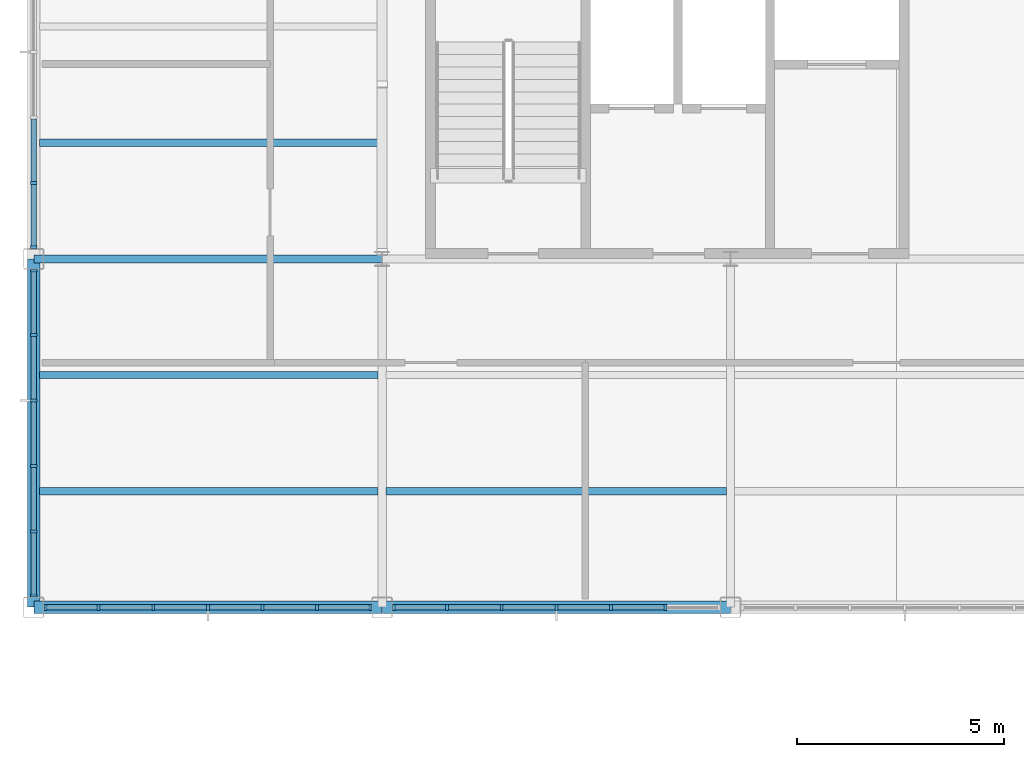
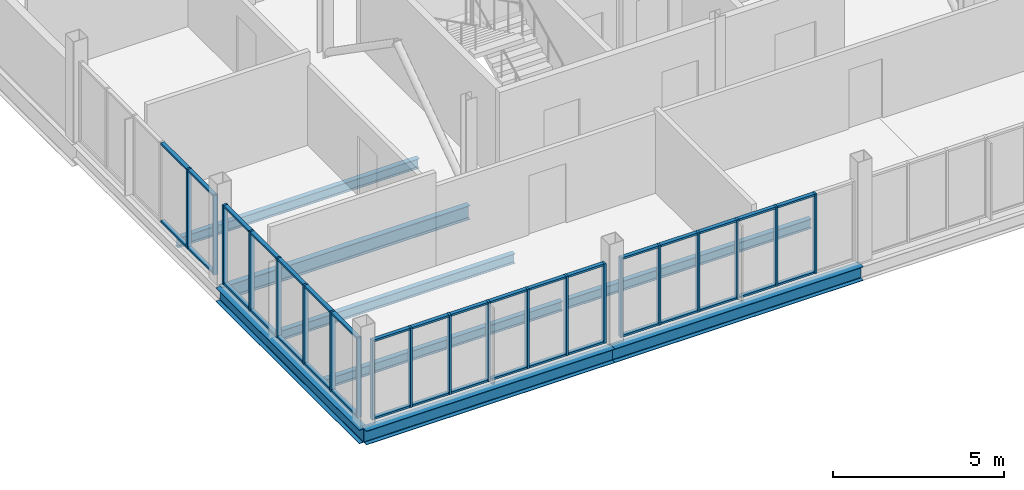
# One storey, part 4 of 16: 57 members, 8 beams, 4 elements without a shape of their own.
"""IFC4 building model written with IfcOpenShell, lengths in metres."""

from ifc_helpers import new_model, si_unit, direction, frame, origin, origin_2d, place, context, subcontext, project, spatial, rectangle, i_section, extrude, material, layer, layer_set, material_profile, profile_set, type_object, element, aggregate, save


model = new_model("IFC4")

# Units and contexts
model_context = context("Model", 3, precision=1e-05, world=origin(), true_north=direction((0.0, 1.0)))
body_context = subcontext(model_context, "Body", "Model", "MODEL_VIEW")
ifc_project = project(units=[si_unit("LENGTHUNIT", "METRE"), si_unit("AREAUNIT", "SQUARE_METRE"), si_unit("VOLUMEUNIT", "CUBIC_METRE"), si_unit("PLANEANGLEUNIT", "RADIAN"), si_unit("MASSUNIT", "GRAM", prefix="KILO")], contexts=[model_context])

# Site, building, storey
site_placement = place(None, origin())
site = spatial("IfcSite", under=ifc_project, at=site_placement, CompositionType="ELEMENT")
building_placement = place(site_placement, origin())
building = spatial("IfcBuilding", under=site, at=building_placement, Name="Yukiwa Park Conservatory and Herbarium", CompositionType="ELEMENT")
storey_placement = place(building_placement, frame((0.0, 0.0, 39.60009765625)))
storey = spatial("IfcBuildingStorey", under=building, at=storey_placement, Name="L10", CompositionType="ELEMENT", Elevation=39.60009765625)

# Beams
ifc_material_1 = material(Name="Steel Q355D", Category="steel")
ifc_material_profile_1 = material_profile(ifc_material_1, i_section(OverallWidth=0.198974609375, OverallDepth=0.49609375, WebThickness=0.009033203125, FlangeThickness=0.013916015625, FilletRadius=0.02001953125, at=origin_2d()), Name="HN 496x199x9x14")
ifc_profile_set_1 = profile_set([ifc_material_profile_1], Name="Steel Q355D")
beam_type_1 = type_object("IfcBeamType", Name="BM-GRD-HN496", PredefinedType="BEAM", material=ifc_profile_set_1)
beam_1_placement = place(storey_placement, frame((124.805908203125, 94.800048828125, -0.5), z_axis=(1.0, 0.0, 0.0), x_axis=(0.0, 1.0, 0.0)))
element("IfcBeam", 1, at=beam_1_placement, inside=storey, type_object=beam_type_1, Name="L10 grid beam X-8", PredefinedType="BEAM", context=body_context, shape_type="SweptSolid", body=[
    extrude(i_section(OverallWidth=0.198974609375, OverallDepth=0.49609375, WebThickness=0.009033203125, FlangeThickness=0.013916015625, FilletRadius=0.02001953125, at=origin_2d()), origin(), (0.0, 0.0, 1.0), 8.38818359375),
])
ifc_material_2 = material(Name="Steel Q355D", Category="steel")
ifc_material_profile_2 = material_profile(ifc_material_2, i_section(OverallWidth=0.174072265625, OverallDepth=0.345947265625, WebThickness=0.006103515625, FlangeThickness=0.009033203125, FilletRadius=0.013916015625, at=origin_2d()), Name="HN 346x174x6x9")
ifc_profile_set_2 = profile_set([ifc_material_profile_2], Name="Steel Q355D")
beam_type_2 = type_object("IfcBeamType", Name="BM-JST-HN346", PredefinedType="JOIST", material=ifc_profile_set_2)
for number, where, z_axis, x_axis, name in (
    (2, (124.946044921875, 89.199951171875, -0.425048828125), (1.0, 0.0, 0.0), (0.0, 1.0, 0.0), "L10 composite floor joist 1"),
    (3, (124.946044921875, 92.0, -0.425048828125), (1.0, 0.0, 0.0), (0.0, 1.0, 0.0), "L10 composite floor joist 2"),
    (4, (124.946044921875, 97.60009765625, -0.425048828125), (1.0, 0.0, 0.0), (0.0, 1.0, 0.0), "L10 composite floor joist 3"),
):
    element("IfcBeam", number, at=place(storey_placement, frame(where, z_axis=z_axis, x_axis=x_axis)), inside=storey, type_object=beam_type_2, Name=name, PredefinedType="JOIST", context=body_context, shape_type="SweptSolid", body=[
        extrude(i_section(OverallWidth=0.174072265625, OverallDepth=0.345947265625, WebThickness=0.006103515625, FlangeThickness=0.009033203125, FilletRadius=0.013916015625, at=origin_2d()), origin(), (0.0, 0.0, 1.0), 8.157958984375),
    ])
beam_2_placement = place(storey_placement, frame((133.2958984375, 89.199951171875, -0.425048828125), z_axis=(1.0, 0.0, 0.0), x_axis=(0.0, 1.0, 0.0)))
element("IfcBeam", 5, at=beam_2_placement, inside=storey, type_object=beam_type_2, Name="L10 composite floor joist 7", PredefinedType="JOIST", context=body_context, shape_type="SweptSolid", body=[
    extrude(i_section(OverallWidth=0.174072265625, OverallDepth=0.345947265625, WebThickness=0.006103515625, FlangeThickness=0.009033203125, FilletRadius=0.013916015625, at=origin_2d()), origin(), (0.0, 0.0, 1.0), 8.2080078125),
])
ifc_material_3 = material(Name="Steel Q355D", Category="steel")
ifc_material_profile_3 = material_profile(ifc_material_3, i_section(OverallWidth=0.300048828125, OverallDepth=0.5, WebThickness=0.010986328125, FlangeThickness=0.01806640625, FilletRadius=0.02392578125, at=origin_2d()), Name="HM 500x300x11x18")
ifc_profile_set_3 = profile_set([ifc_material_profile_3], Name="Steel Q355D")
beam_type_3 = type_object("IfcBeamType", Name="BM-SPN-HN500", PredefinedType="SPANDREL", material=ifc_profile_set_3)
beam_3_placement = place(storey_placement, frame((124.805908203125, 86.39990234375, -0.502197265625), z_axis=(1.0, 0.0, 0.0), x_axis=(0.0, 1.0, 0.0)))
element("IfcBeam", 6, at=beam_3_placement, inside=storey, type_object=beam_type_3, Name="L10 spandrel beam X-3", PredefinedType="SPANDREL", context=body_context, shape_type="SweptSolid", body=[
    extrude(i_section(OverallWidth=0.300048828125, OverallDepth=0.5, WebThickness=0.010986328125, FlangeThickness=0.01806640625, FilletRadius=0.02392578125, at=origin_2d()), origin(), (0.0, 0.0, 1.0), 8.38818359375),
])
for number, where, z_axis, x_axis, name in (
    (7, (133.2060546875, 86.39990234375, -0.502197265625), (1.0, 0.0, 0.0), (0.0, 1.0, 0.0), "L10 spandrel beam X-4"),
    (8, (124.800048828125, 86.406005859375, -0.502197265625), (0.0, 1.0, 0.0), (-1.0, 0.0, 0.0), "L10 spandrel girder Y-23"),
):
    element("IfcBeam", number, at=place(storey_placement, frame(where, z_axis=z_axis, x_axis=x_axis)), inside=storey, type_object=beam_type_3, Name=name, PredefinedType="SPANDREL", context=body_context, shape_type="SweptSolid", body=[
        extrude(i_section(OverallWidth=0.300048828125, OverallDepth=0.5, WebThickness=0.010986328125, FlangeThickness=0.01806640625, FilletRadius=0.02392578125, at=origin_2d()), origin(), (0.0, 0.0, 1.0), 8.387939453125),
    ])

# Curtain wall, members
ifc_material_4 = material(Name="Triple Low-E Insulated Glass", Category="glass")
ifc_layer_1 = layer(ifc_material_4, 0.260009765625)
ifc_layer_set_1 = layer_set([ifc_layer_1], Name="Triple Low-E Insulated Glass")
curtain_wall_type_1 = type_object("IfcCurtainWallType", Name="CW-TOWER-LAB-W-1500", PredefinedType="NOTDEFINED", material=ifc_layer_set_1)
curtain_wall_1_placement = place(storey_placement, origin())
curtain_wall_1 = element("IfcCurtainWall", 9, at=curtain_wall_1_placement, inside=storey, type_object=curtain_wall_type_1, Name="L10 unitised curtain wall CW-L10-107", PredefinedType="NOTDEFINED")
ifc_material_5 = material(Name="Anodised Aluminium", Category="aluminium")
member_type_1 = type_object("IfcMemberType", Name="MB-CW-MUL-70X150", PredefinedType="MULLION", material=ifc_material_5)
member_1_placement = place(storey_placement, frame((124.800048828125, 96.6298828125, 0.0), z_axis=(0.0, 0.0, 1.0), x_axis=(0.0, -1.0, 0.0)))
member_1 = element("IfcMember", 10, at=member_1_placement, type_object=member_type_1, Name="CW-L10-107 mullion 5", PredefinedType="MULLION", context=body_context, shape_type="SweptSolid", body=[
    extrude(rectangle(XDim=0.070068359375, YDim=0.14990234375, at=origin_2d()), origin(), (0.0, 0.0, 1.0), 2.842041015625),
])
member_2_placement = place(storey_placement, frame((124.800048828125, 95.0849609375, 0.0), z_axis=(0.0, 0.0, 1.0), x_axis=(0.0, -1.0, 0.0)))
member_2 = element("IfcMember", 11, at=member_2_placement, type_object=member_type_1, Name="CW-L10-107 mullion 6", PredefinedType="MULLION", context=body_context, shape_type="SweptSolid", body=[
    extrude(rectangle(XDim=0.070068359375, YDim=0.14990234375, at=origin_2d()), origin(), (0.0, 0.0, 1.0), 2.842041015625),
])

curtain_wall_2_placement = place(storey_placement, origin())
curtain_wall_2 = element("IfcCurtainWall", 12, at=curtain_wall_2_placement, inside=storey, type_object=curtain_wall_type_1, Name="L10 unitised curtain wall CW-L10-108", PredefinedType="NOTDEFINED")
member_3_placement = place(storey_placement, frame((124.800048828125, 94.514892578125, 0.0), z_axis=(0.0, 0.0, 1.0), x_axis=(0.0, -1.0, 0.0)))
member_3 = element("IfcMember", 13, at=member_3_placement, type_object=member_type_1, Name="CW-L10-108 mullion 1", PredefinedType="MULLION", context=body_context, shape_type="SweptSolid", body=[
    extrude(rectangle(XDim=0.070068359375, YDim=0.14990234375, at=origin_2d()), origin(), (0.0, 0.0, 1.0), 2.842041015625),
])
member_4_placement = place(storey_placement, frame((124.800048828125, 92.969970703125, 0.0), z_axis=(0.0, 0.0, 1.0), x_axis=(0.0, -1.0, 0.0)))
member_4 = element("IfcMember", 14, at=member_4_placement, type_object=member_type_1, Name="CW-L10-108 mullion 2", PredefinedType="MULLION", context=body_context, shape_type="SweptSolid", body=[
    extrude(rectangle(XDim=0.070068359375, YDim=0.14990234375, at=origin_2d()), origin(), (0.0, 0.0, 1.0), 2.842041015625),
])
member_5_placement = place(storey_placement, frame((124.800048828125, 91.389892578125, 0.0), z_axis=(0.0, 0.0, 1.0), x_axis=(0.0, -1.0, 0.0)))
member_5 = element("IfcMember", 15, at=member_5_placement, type_object=member_type_1, Name="CW-L10-108 mullion 3", PredefinedType="MULLION", context=body_context, shape_type="SweptSolid", body=[
    extrude(rectangle(XDim=0.070068359375, YDim=0.14990234375, at=origin_2d()), origin(), (0.0, 0.0, 1.0), 2.842041015625),
])
member_6_placement = place(storey_placement, frame((124.800048828125, 89.81005859375, 0.0), z_axis=(0.0, 0.0, 1.0), x_axis=(0.0, -1.0, 0.0)))
member_6 = element("IfcMember", 16, at=member_6_placement, type_object=member_type_1, Name="CW-L10-108 mullion 4", PredefinedType="MULLION", context=body_context, shape_type="SweptSolid", body=[
    extrude(rectangle(XDim=0.070068359375, YDim=0.14990234375, at=origin_2d()), origin(), (0.0, 0.0, 1.0), 2.842041015625),
])
member_7_placement = place(storey_placement, frame((124.800048828125, 88.22998046875, 0.0), z_axis=(0.0, 0.0, 1.0), x_axis=(0.0, -1.0, 0.0)))
member_7 = element("IfcMember", 17, at=member_7_placement, type_object=member_type_1, Name="CW-L10-108 mullion 5", PredefinedType="MULLION", context=body_context, shape_type="SweptSolid", body=[
    extrude(rectangle(XDim=0.070068359375, YDim=0.14990234375, at=origin_2d()), origin(), (0.0, 0.0, 1.0), 2.842041015625),
])
member_8_placement = place(storey_placement, frame((124.800048828125, 86.68505859375, 0.0), z_axis=(0.0, 0.0, 1.0), x_axis=(0.0, -1.0, 0.0)))
member_8 = element("IfcMember", 18, at=member_8_placement, type_object=member_type_1, Name="CW-L10-108 mullion 6", PredefinedType="MULLION", context=body_context, shape_type="SweptSolid", body=[
    extrude(rectangle(XDim=0.070068359375, YDim=0.14990234375, at=origin_2d()), origin(), (0.0, 0.0, 1.0), 2.842041015625),
])

ifc_material_6 = material(Name="Triple Low-E Insulated Glass", Category="glass")
ifc_layer_2 = layer(ifc_material_6, 0.248046875)
ifc_layer_set_2 = layer_set([ifc_layer_2], Name="Triple Low-E Insulated Glass")
curtain_wall_type_2 = type_object("IfcCurtainWallType", Name="CW-TOWER-LAB-S-1400", PredefinedType="NOTDEFINED", material=ifc_layer_set_2)
curtain_wall_3_placement = place(storey_placement, origin())
curtain_wall_3 = element("IfcCurtainWall", 19, at=curtain_wall_3_placement, inside=storey, type_object=curtain_wall_type_2, Name="L10 unitised curtain wall CW-L10-109", PredefinedType="NOTDEFINED")
member_9_placement = place(storey_placement, frame((125.0849609375, 86.39990234375, 0.0), z_axis=(0.0, 0.0, 1.0), x_axis=(1.0, 0.0, 0.0)))
member_9 = element("IfcMember", 20, at=member_9_placement, type_object=member_type_1, Name="CW-L10-109 mullion 1", PredefinedType="MULLION", context=body_context, shape_type="SweptSolid", body=[
    extrude(rectangle(XDim=0.070068359375, YDim=0.14990234375, at=origin_2d()), origin(), (0.0, 0.0, 1.0), 2.842041015625),
])
member_10_placement = place(storey_placement, frame((126.36669921875, 86.39990234375, 0.0), z_axis=(0.0, 0.0, 1.0), x_axis=(1.0, 0.0, 0.0)))
member_10 = element("IfcMember", 21, at=member_10_placement, type_object=member_type_1, Name="CW-L10-109 mullion 2", PredefinedType="MULLION", context=body_context, shape_type="SweptSolid", body=[
    extrude(rectangle(XDim=0.070068359375, YDim=0.14990234375, at=origin_2d()), origin(), (0.0, 0.0, 1.0), 2.842041015625),
])
member_11_placement = place(storey_placement, frame((127.683349609375, 86.39990234375, 0.0), z_axis=(0.0, 0.0, 1.0), x_axis=(1.0, 0.0, 0.0)))
member_11 = element("IfcMember", 22, at=member_11_placement, type_object=member_type_1, Name="CW-L10-109 mullion 3", PredefinedType="MULLION", context=body_context, shape_type="SweptSolid", body=[
    extrude(rectangle(XDim=0.070068359375, YDim=0.14990234375, at=origin_2d()), origin(), (0.0, 0.0, 1.0), 2.842041015625),
])
member_12_placement = place(storey_placement, frame((129.0, 86.39990234375, 0.0), z_axis=(0.0, 0.0, 1.0), x_axis=(1.0, 0.0, 0.0)))
member_12 = element("IfcMember", 23, at=member_12_placement, type_object=member_type_1, Name="CW-L10-109 mullion 4", PredefinedType="MULLION", context=body_context, shape_type="SweptSolid", body=[
    extrude(rectangle(XDim=0.070068359375, YDim=0.14990234375, at=origin_2d()), origin(), (0.0, 0.0, 1.0), 2.842041015625),
])
member_13_placement = place(storey_placement, frame((130.316650390625, 86.39990234375, 0.0), z_axis=(0.0, 0.0, 1.0), x_axis=(1.0, 0.0, 0.0)))
member_13 = element("IfcMember", 24, at=member_13_placement, type_object=member_type_1, Name="CW-L10-109 mullion 5", PredefinedType="MULLION", context=body_context, shape_type="SweptSolid", body=[
    extrude(rectangle(XDim=0.070068359375, YDim=0.14990234375, at=origin_2d()), origin(), (0.0, 0.0, 1.0), 2.842041015625),
])
member_14_placement = place(storey_placement, frame((131.63330078125, 86.39990234375, 0.0), z_axis=(0.0, 0.0, 1.0), x_axis=(1.0, 0.0, 0.0)))
member_14 = element("IfcMember", 25, at=member_14_placement, type_object=member_type_1, Name="CW-L10-109 mullion 6", PredefinedType="MULLION", context=body_context, shape_type="SweptSolid", body=[
    extrude(rectangle(XDim=0.070068359375, YDim=0.14990234375, at=origin_2d()), origin(), (0.0, 0.0, 1.0), 2.842041015625),
])
member_15_placement = place(storey_placement, frame((132.9150390625, 86.39990234375, 0.0), z_axis=(0.0, 0.0, 1.0), x_axis=(1.0, 0.0, 0.0)))
member_15 = element("IfcMember", 26, at=member_15_placement, type_object=member_type_1, Name="CW-L10-109 mullion 7", PredefinedType="MULLION", context=body_context, shape_type="SweptSolid", body=[
    extrude(rectangle(XDim=0.070068359375, YDim=0.14990234375, at=origin_2d()), origin(), (0.0, 0.0, 1.0), 2.842041015625),
])

curtain_wall_4_placement = place(storey_placement, origin())
curtain_wall_4 = element("IfcCurtainWall", 27, at=curtain_wall_4_placement, inside=storey, type_object=curtain_wall_type_2, Name="L10 unitised curtain wall CW-L10-110", PredefinedType="NOTDEFINED")
member_16_placement = place(storey_placement, frame((133.485107421875, 86.39990234375, 0.0), z_axis=(0.0, 0.0, 1.0), x_axis=(1.0, 0.0, 0.0)))
member_16 = element("IfcMember", 28, at=member_16_placement, type_object=member_type_1, Name="CW-L10-110 mullion 1", PredefinedType="MULLION", context=body_context, shape_type="SweptSolid", body=[
    extrude(rectangle(XDim=0.070068359375, YDim=0.14990234375, at=origin_2d()), origin(), (0.0, 0.0, 1.0), 2.842041015625),
])
member_17_placement = place(storey_placement, frame((134.7666015625, 86.39990234375, 0.0), z_axis=(0.0, 0.0, 1.0), x_axis=(1.0, 0.0, 0.0)))
member_17 = element("IfcMember", 29, at=member_17_placement, type_object=member_type_1, Name="CW-L10-110 mullion 2", PredefinedType="MULLION", context=body_context, shape_type="SweptSolid", body=[
    extrude(rectangle(XDim=0.070068359375, YDim=0.14990234375, at=origin_2d()), origin(), (0.0, 0.0, 1.0), 2.842041015625),
])
member_18_placement = place(storey_placement, frame((136.083251953125, 86.39990234375, 0.0), z_axis=(0.0, 0.0, 1.0), x_axis=(1.0, 0.0, 0.0)))
member_18 = element("IfcMember", 30, at=member_18_placement, type_object=member_type_1, Name="CW-L10-110 mullion 3", PredefinedType="MULLION", context=body_context, shape_type="SweptSolid", body=[
    extrude(rectangle(XDim=0.070068359375, YDim=0.14990234375, at=origin_2d()), origin(), (0.0, 0.0, 1.0), 2.842041015625),
])
member_19_placement = place(storey_placement, frame((137.39990234375, 86.39990234375, 0.0), z_axis=(0.0, 0.0, 1.0), x_axis=(1.0, 0.0, 0.0)))
member_19 = element("IfcMember", 31, at=member_19_placement, type_object=member_type_1, Name="CW-L10-110 mullion 4", PredefinedType="MULLION", context=body_context, shape_type="SweptSolid", body=[
    extrude(rectangle(XDim=0.070068359375, YDim=0.14990234375, at=origin_2d()), origin(), (0.0, 0.0, 1.0), 2.842041015625),
])
member_20_placement = place(storey_placement, frame((138.716796875, 86.39990234375, 0.0), z_axis=(0.0, 0.0, 1.0), x_axis=(1.0, 0.0, 0.0)))
member_20 = element("IfcMember", 32, at=member_20_placement, type_object=member_type_1, Name="CW-L10-110 mullion 5", PredefinedType="MULLION", context=body_context, shape_type="SweptSolid", body=[
    extrude(rectangle(XDim=0.070068359375, YDim=0.14990234375, at=origin_2d()), origin(), (0.0, 0.0, 1.0), 2.842041015625),
])
member_21_placement = place(storey_placement, frame((140.033203125, 86.39990234375, 0.0), z_axis=(0.0, 0.0, 1.0), x_axis=(1.0, 0.0, 0.0)))
member_21 = element("IfcMember", 33, at=member_21_placement, type_object=member_type_1, Name="CW-L10-110 mullion 6", PredefinedType="MULLION", context=body_context, shape_type="SweptSolid", body=[
    extrude(rectangle(XDim=0.070068359375, YDim=0.14990234375, at=origin_2d()), origin(), (0.0, 0.0, 1.0), 2.842041015625),
])

# Member
ifc_material_7 = material(Name="Anodised Aluminium", Category="aluminium")
member_type_2 = type_object("IfcMemberType", Name="MB-CW-TRN-70X130", PredefinedType="USERDEFINED", material=ifc_material_7)
member_22_placement = place(storey_placement, frame((124.800048828125, 97.419921875, 0.0), z_axis=(0.0, 0.0, 1.0), x_axis=(0.0, -1.0, 0.0)))
member_22 = element("IfcMember", 34, at=member_22_placement, type_object=member_type_2, Name="CW-L10-107 transom 4.1", ObjectType="TRANSOM", PredefinedType="USERDEFINED", context=body_context, shape_type="SweptSolid", body=[
    extrude(rectangle(XDim=1.510009765625, YDim=0.1298828125, at=origin_2d()), origin(), (0.0, 0.0, 1.0), 0.070068359375),
])

member_23_placement = place(storey_placement, frame((124.800048828125, 97.419921875, 2.77197265625), z_axis=(0.0, 0.0, 1.0), x_axis=(0.0, -1.0, 0.0)))
member_23 = element("IfcMember", 35, at=member_23_placement, type_object=member_type_2, Name="CW-L10-107 transom 4.2", ObjectType="TRANSOM", PredefinedType="USERDEFINED", context=body_context, shape_type="SweptSolid", body=[
    extrude(rectangle(XDim=1.510009765625, YDim=0.1298828125, at=origin_2d()), origin(), (0.0, 0.0, 1.0), 0.070068359375),
])

member_24_placement = place(storey_placement, frame((124.800048828125, 95.840087890625, 0.0), z_axis=(0.0, 0.0, 1.0), x_axis=(0.0, -1.0, 0.0)))
member_24 = element("IfcMember", 36, at=member_24_placement, type_object=member_type_2, Name="CW-L10-107 transom 5.1", ObjectType="TRANSOM", PredefinedType="USERDEFINED", context=body_context, shape_type="SweptSolid", body=[
    extrude(rectangle(XDim=1.510009765625, YDim=0.1298828125, at=origin_2d()), origin(), (0.0, 0.0, 1.0), 0.070068359375),
])

member_25_placement = place(storey_placement, frame((124.800048828125, 95.840087890625, 2.77197265625), z_axis=(0.0, 0.0, 1.0), x_axis=(0.0, -1.0, 0.0)))
member_25 = element("IfcMember", 37, at=member_25_placement, type_object=member_type_2, Name="CW-L10-107 transom 5.2", ObjectType="TRANSOM", PredefinedType="USERDEFINED", context=body_context, shape_type="SweptSolid", body=[
    extrude(rectangle(XDim=1.510009765625, YDim=0.1298828125, at=origin_2d()), origin(), (0.0, 0.0, 1.0), 0.070068359375),
])

aggregate(curtain_wall_1, [member_1, member_2, member_22, member_23, member_24, member_25])

member_26_placement = place(storey_placement, frame((124.800048828125, 93.760009765625, 0.0), z_axis=(0.0, 0.0, 1.0), x_axis=(0.0, -1.0, 0.0)))
member_26 = element("IfcMember", 38, at=member_26_placement, type_object=member_type_2, Name="CW-L10-108 transom 1.1", ObjectType="TRANSOM", PredefinedType="USERDEFINED", context=body_context, shape_type="SweptSolid", body=[
    extrude(rectangle(XDim=1.510009765625, YDim=0.1298828125, at=origin_2d()), origin(), (0.0, 0.0, 1.0), 0.070068359375),
])

member_27_placement = place(storey_placement, frame((124.800048828125, 93.760009765625, 2.77197265625), z_axis=(0.0, 0.0, 1.0), x_axis=(0.0, -1.0, 0.0)))
member_27 = element("IfcMember", 39, at=member_27_placement, type_object=member_type_2, Name="CW-L10-108 transom 1.2", ObjectType="TRANSOM", PredefinedType="USERDEFINED", context=body_context, shape_type="SweptSolid", body=[
    extrude(rectangle(XDim=1.510009765625, YDim=0.1298828125, at=origin_2d()), origin(), (0.0, 0.0, 1.0), 0.070068359375),
])

member_28_placement = place(storey_placement, frame((124.800048828125, 92.179931640625, 0.0), z_axis=(0.0, 0.0, 1.0), x_axis=(0.0, -1.0, 0.0)))
member_28 = element("IfcMember", 40, at=member_28_placement, type_object=member_type_2, Name="CW-L10-108 transom 2.1", ObjectType="TRANSOM", PredefinedType="USERDEFINED", context=body_context, shape_type="SweptSolid", body=[
    extrude(rectangle(XDim=1.510009765625, YDim=0.1298828125, at=origin_2d()), origin(), (0.0, 0.0, 1.0), 0.070068359375),
])

member_29_placement = place(storey_placement, frame((124.800048828125, 92.179931640625, 2.77197265625), z_axis=(0.0, 0.0, 1.0), x_axis=(0.0, -1.0, 0.0)))
member_29 = element("IfcMember", 41, at=member_29_placement, type_object=member_type_2, Name="CW-L10-108 transom 2.2", ObjectType="TRANSOM", PredefinedType="USERDEFINED", context=body_context, shape_type="SweptSolid", body=[
    extrude(rectangle(XDim=1.510009765625, YDim=0.1298828125, at=origin_2d()), origin(), (0.0, 0.0, 1.0), 0.070068359375),
])

member_30_placement = place(storey_placement, frame((124.800048828125, 90.60009765625, 0.0), z_axis=(0.0, 0.0, 1.0), x_axis=(0.0, -1.0, 0.0)))
member_30 = element("IfcMember", 42, at=member_30_placement, type_object=member_type_2, Name="CW-L10-108 transom 3.1", ObjectType="TRANSOM", PredefinedType="USERDEFINED", context=body_context, shape_type="SweptSolid", body=[
    extrude(rectangle(XDim=1.510009765625, YDim=0.1298828125, at=origin_2d()), origin(), (0.0, 0.0, 1.0), 0.070068359375),
])

member_31_placement = place(storey_placement, frame((124.800048828125, 90.60009765625, 2.77197265625), z_axis=(0.0, 0.0, 1.0), x_axis=(0.0, -1.0, 0.0)))
member_31 = element("IfcMember", 43, at=member_31_placement, type_object=member_type_2, Name="CW-L10-108 transom 3.2", ObjectType="TRANSOM", PredefinedType="USERDEFINED", context=body_context, shape_type="SweptSolid", body=[
    extrude(rectangle(XDim=1.510009765625, YDim=0.1298828125, at=origin_2d()), origin(), (0.0, 0.0, 1.0), 0.070068359375),
])

member_32_placement = place(storey_placement, frame((124.800048828125, 89.02001953125, 0.0), z_axis=(0.0, 0.0, 1.0), x_axis=(0.0, -1.0, 0.0)))
member_32 = element("IfcMember", 44, at=member_32_placement, type_object=member_type_2, Name="CW-L10-108 transom 4.1", ObjectType="TRANSOM", PredefinedType="USERDEFINED", context=body_context, shape_type="SweptSolid", body=[
    extrude(rectangle(XDim=1.510009765625, YDim=0.1298828125, at=origin_2d()), origin(), (0.0, 0.0, 1.0), 0.070068359375),
])

member_33_placement = place(storey_placement, frame((124.800048828125, 89.02001953125, 2.77197265625), z_axis=(0.0, 0.0, 1.0), x_axis=(0.0, -1.0, 0.0)))
member_33 = element("IfcMember", 45, at=member_33_placement, type_object=member_type_2, Name="CW-L10-108 transom 4.2", ObjectType="TRANSOM", PredefinedType="USERDEFINED", context=body_context, shape_type="SweptSolid", body=[
    extrude(rectangle(XDim=1.510009765625, YDim=0.1298828125, at=origin_2d()), origin(), (0.0, 0.0, 1.0), 0.070068359375),
])

member_34_placement = place(storey_placement, frame((124.800048828125, 87.43994140625, 0.0), z_axis=(0.0, 0.0, 1.0), x_axis=(0.0, -1.0, 0.0)))
member_34 = element("IfcMember", 46, at=member_34_placement, type_object=member_type_2, Name="CW-L10-108 transom 5.1", ObjectType="TRANSOM", PredefinedType="USERDEFINED", context=body_context, shape_type="SweptSolid", body=[
    extrude(rectangle(XDim=1.510009765625, YDim=0.1298828125, at=origin_2d()), origin(), (0.0, 0.0, 1.0), 0.070068359375),
])

member_35_placement = place(storey_placement, frame((124.800048828125, 87.43994140625, 2.77197265625), z_axis=(0.0, 0.0, 1.0), x_axis=(0.0, -1.0, 0.0)))
member_35 = element("IfcMember", 47, at=member_35_placement, type_object=member_type_2, Name="CW-L10-108 transom 5.2", ObjectType="TRANSOM", PredefinedType="USERDEFINED", context=body_context, shape_type="SweptSolid", body=[
    extrude(rectangle(XDim=1.510009765625, YDim=0.1298828125, at=origin_2d()), origin(), (0.0, 0.0, 1.0), 0.070068359375),
])

aggregate(curtain_wall_2, [member_3, member_4, member_5, member_6, member_7, member_8, member_26, member_27, member_28, member_29, member_30, member_31, member_32, member_33, member_34, member_35])

member_36_placement = place(storey_placement, frame((125.708251953125, 86.39990234375, 0.0), z_axis=(0.0, 0.0, 1.0), x_axis=(1.0, 0.0, 0.0)))
member_36 = element("IfcMember", 48, at=member_36_placement, type_object=member_type_2, Name="CW-L10-109 transom 1.1", ObjectType="TRANSOM", PredefinedType="USERDEFINED", context=body_context, shape_type="SweptSolid", body=[
    extrude(rectangle(XDim=1.24658203125, YDim=0.1298828125, at=origin_2d()), origin(), (0.0, 0.0, 1.0), 0.070068359375),
])

member_37_placement = place(storey_placement, frame((125.708251953125, 86.39990234375, 2.77197265625), z_axis=(0.0, 0.0, 1.0), x_axis=(1.0, 0.0, 0.0)))
member_37 = element("IfcMember", 49, at=member_37_placement, type_object=member_type_2, Name="CW-L10-109 transom 1.2", ObjectType="TRANSOM", PredefinedType="USERDEFINED", context=body_context, shape_type="SweptSolid", body=[
    extrude(rectangle(XDim=1.24658203125, YDim=0.1298828125, at=origin_2d()), origin(), (0.0, 0.0, 1.0), 0.070068359375),
])

member_38_placement = place(storey_placement, frame((127.02490234375, 86.39990234375, 0.0), z_axis=(0.0, 0.0, 1.0), x_axis=(1.0, 0.0, 0.0)))
member_38 = element("IfcMember", 50, at=member_38_placement, type_object=member_type_2, Name="CW-L10-109 transom 2.1", ObjectType="TRANSOM", PredefinedType="USERDEFINED", context=body_context, shape_type="SweptSolid", body=[
    extrude(rectangle(XDim=1.24658203125, YDim=0.1298828125, at=origin_2d()), origin(), (0.0, 0.0, 1.0), 0.070068359375),
])

member_39_placement = place(storey_placement, frame((127.02490234375, 86.39990234375, 2.77197265625), z_axis=(0.0, 0.0, 1.0), x_axis=(1.0, 0.0, 0.0)))
member_39 = element("IfcMember", 51, at=member_39_placement, type_object=member_type_2, Name="CW-L10-109 transom 2.2", ObjectType="TRANSOM", PredefinedType="USERDEFINED", context=body_context, shape_type="SweptSolid", body=[
    extrude(rectangle(XDim=1.24658203125, YDim=0.1298828125, at=origin_2d()), origin(), (0.0, 0.0, 1.0), 0.070068359375),
])

member_40_placement = place(storey_placement, frame((128.341796875, 86.39990234375, 0.0), z_axis=(0.0, 0.0, 1.0), x_axis=(1.0, 0.0, 0.0)))
member_40 = element("IfcMember", 52, at=member_40_placement, type_object=member_type_2, Name="CW-L10-109 transom 3.1", ObjectType="TRANSOM", PredefinedType="USERDEFINED", context=body_context, shape_type="SweptSolid", body=[
    extrude(rectangle(XDim=1.24658203125, YDim=0.1298828125, at=origin_2d()), origin(), (0.0, 0.0, 1.0), 0.070068359375),
])

member_41_placement = place(storey_placement, frame((128.341796875, 86.39990234375, 2.77197265625), z_axis=(0.0, 0.0, 1.0), x_axis=(1.0, 0.0, 0.0)))
member_41 = element("IfcMember", 53, at=member_41_placement, type_object=member_type_2, Name="CW-L10-109 transom 3.2", ObjectType="TRANSOM", PredefinedType="USERDEFINED", context=body_context, shape_type="SweptSolid", body=[
    extrude(rectangle(XDim=1.24658203125, YDim=0.1298828125, at=origin_2d()), origin(), (0.0, 0.0, 1.0), 0.070068359375),
])

member_42_placement = place(storey_placement, frame((129.658203125, 86.39990234375, 0.0), z_axis=(0.0, 0.0, 1.0), x_axis=(1.0, 0.0, 0.0)))
member_42 = element("IfcMember", 54, at=member_42_placement, type_object=member_type_2, Name="CW-L10-109 transom 4.1", ObjectType="TRANSOM", PredefinedType="USERDEFINED", context=body_context, shape_type="SweptSolid", body=[
    extrude(rectangle(XDim=1.24658203125, YDim=0.1298828125, at=origin_2d()), origin(), (0.0, 0.0, 1.0), 0.070068359375),
])

member_43_placement = place(storey_placement, frame((129.658203125, 86.39990234375, 2.77197265625), z_axis=(0.0, 0.0, 1.0), x_axis=(1.0, 0.0, 0.0)))
member_43 = element("IfcMember", 55, at=member_43_placement, type_object=member_type_2, Name="CW-L10-109 transom 4.2", ObjectType="TRANSOM", PredefinedType="USERDEFINED", context=body_context, shape_type="SweptSolid", body=[
    extrude(rectangle(XDim=1.24658203125, YDim=0.1298828125, at=origin_2d()), origin(), (0.0, 0.0, 1.0), 0.070068359375),
])

member_44_placement = place(storey_placement, frame((130.97509765625, 86.39990234375, 0.0), z_axis=(0.0, 0.0, 1.0), x_axis=(1.0, 0.0, 0.0)))
member_44 = element("IfcMember", 56, at=member_44_placement, type_object=member_type_2, Name="CW-L10-109 transom 5.1", ObjectType="TRANSOM", PredefinedType="USERDEFINED", context=body_context, shape_type="SweptSolid", body=[
    extrude(rectangle(XDim=1.24658203125, YDim=0.1298828125, at=origin_2d()), origin(), (0.0, 0.0, 1.0), 0.070068359375),
])

member_45_placement = place(storey_placement, frame((130.97509765625, 86.39990234375, 2.77197265625), z_axis=(0.0, 0.0, 1.0), x_axis=(1.0, 0.0, 0.0)))
member_45 = element("IfcMember", 57, at=member_45_placement, type_object=member_type_2, Name="CW-L10-109 transom 5.2", ObjectType="TRANSOM", PredefinedType="USERDEFINED", context=body_context, shape_type="SweptSolid", body=[
    extrude(rectangle(XDim=1.24658203125, YDim=0.1298828125, at=origin_2d()), origin(), (0.0, 0.0, 1.0), 0.070068359375),
])

member_46_placement = place(storey_placement, frame((132.291748046875, 86.39990234375, 0.0), z_axis=(0.0, 0.0, 1.0), x_axis=(1.0, 0.0, 0.0)))
member_46 = element("IfcMember", 58, at=member_46_placement, type_object=member_type_2, Name="CW-L10-109 transom 6.1", ObjectType="TRANSOM", PredefinedType="USERDEFINED", context=body_context, shape_type="SweptSolid", body=[
    extrude(rectangle(XDim=1.24658203125, YDim=0.1298828125, at=origin_2d()), origin(), (0.0, 0.0, 1.0), 0.070068359375),
])

member_47_placement = place(storey_placement, frame((132.291748046875, 86.39990234375, 2.77197265625), z_axis=(0.0, 0.0, 1.0), x_axis=(1.0, 0.0, 0.0)))
member_47 = element("IfcMember", 59, at=member_47_placement, type_object=member_type_2, Name="CW-L10-109 transom 6.2", ObjectType="TRANSOM", PredefinedType="USERDEFINED", context=body_context, shape_type="SweptSolid", body=[
    extrude(rectangle(XDim=1.24658203125, YDim=0.1298828125, at=origin_2d()), origin(), (0.0, 0.0, 1.0), 0.070068359375),
])

aggregate(curtain_wall_3, [member_9, member_10, member_11, member_12, member_13, member_14, member_15, member_36, member_37, member_38, member_39, member_40, member_41, member_42, member_43, member_44, member_45, member_46, member_47])

member_48_placement = place(storey_placement, frame((134.1083984375, 86.39990234375, 0.0), z_axis=(0.0, 0.0, 1.0), x_axis=(1.0, 0.0, 0.0)))
member_48 = element("IfcMember", 60, at=member_48_placement, type_object=member_type_2, Name="CW-L10-110 transom 1.1", ObjectType="TRANSOM", PredefinedType="USERDEFINED", context=body_context, shape_type="SweptSolid", body=[
    extrude(rectangle(XDim=1.24658203125, YDim=0.1298828125, at=origin_2d()), origin(), (0.0, 0.0, 1.0), 0.070068359375),
])

member_49_placement = place(storey_placement, frame((134.1083984375, 86.39990234375, 2.77197265625), z_axis=(0.0, 0.0, 1.0), x_axis=(1.0, 0.0, 0.0)))
member_49 = element("IfcMember", 61, at=member_49_placement, type_object=member_type_2, Name="CW-L10-110 transom 1.2", ObjectType="TRANSOM", PredefinedType="USERDEFINED", context=body_context, shape_type="SweptSolid", body=[
    extrude(rectangle(XDim=1.24658203125, YDim=0.1298828125, at=origin_2d()), origin(), (0.0, 0.0, 1.0), 0.070068359375),
])

member_50_placement = place(storey_placement, frame((135.425048828125, 86.39990234375, 0.0), z_axis=(0.0, 0.0, 1.0), x_axis=(1.0, 0.0, 0.0)))
member_50 = element("IfcMember", 62, at=member_50_placement, type_object=member_type_2, Name="CW-L10-110 transom 2.1", ObjectType="TRANSOM", PredefinedType="USERDEFINED", context=body_context, shape_type="SweptSolid", body=[
    extrude(rectangle(XDim=1.24658203125, YDim=0.1298828125, at=origin_2d()), origin(), (0.0, 0.0, 1.0), 0.070068359375),
])

member_51_placement = place(storey_placement, frame((135.425048828125, 86.39990234375, 2.77197265625), z_axis=(0.0, 0.0, 1.0), x_axis=(1.0, 0.0, 0.0)))
member_51 = element("IfcMember", 63, at=member_51_placement, type_object=member_type_2, Name="CW-L10-110 transom 2.2", ObjectType="TRANSOM", PredefinedType="USERDEFINED", context=body_context, shape_type="SweptSolid", body=[
    extrude(rectangle(XDim=1.24658203125, YDim=0.1298828125, at=origin_2d()), origin(), (0.0, 0.0, 1.0), 0.070068359375),
])

member_52_placement = place(storey_placement, frame((136.74169921875, 86.39990234375, 0.0), z_axis=(0.0, 0.0, 1.0), x_axis=(1.0, 0.0, 0.0)))
member_52 = element("IfcMember", 64, at=member_52_placement, type_object=member_type_2, Name="CW-L10-110 transom 3.1", ObjectType="TRANSOM", PredefinedType="USERDEFINED", context=body_context, shape_type="SweptSolid", body=[
    extrude(rectangle(XDim=1.24658203125, YDim=0.1298828125, at=origin_2d()), origin(), (0.0, 0.0, 1.0), 0.070068359375),
])

member_53_placement = place(storey_placement, frame((136.74169921875, 86.39990234375, 2.77197265625), z_axis=(0.0, 0.0, 1.0), x_axis=(1.0, 0.0, 0.0)))
member_53 = element("IfcMember", 65, at=member_53_placement, type_object=member_type_2, Name="CW-L10-110 transom 3.2", ObjectType="TRANSOM", PredefinedType="USERDEFINED", context=body_context, shape_type="SweptSolid", body=[
    extrude(rectangle(XDim=1.24658203125, YDim=0.1298828125, at=origin_2d()), origin(), (0.0, 0.0, 1.0), 0.070068359375),
])

member_54_placement = place(storey_placement, frame((138.058349609375, 86.39990234375, 0.0), z_axis=(0.0, 0.0, 1.0), x_axis=(1.0, 0.0, 0.0)))
member_54 = element("IfcMember", 66, at=member_54_placement, type_object=member_type_2, Name="CW-L10-110 transom 4.1", ObjectType="TRANSOM", PredefinedType="USERDEFINED", context=body_context, shape_type="SweptSolid", body=[
    extrude(rectangle(XDim=1.24658203125, YDim=0.1298828125, at=origin_2d()), origin(), (0.0, 0.0, 1.0), 0.070068359375),
])

member_55_placement = place(storey_placement, frame((138.058349609375, 86.39990234375, 2.77197265625), z_axis=(0.0, 0.0, 1.0), x_axis=(1.0, 0.0, 0.0)))
member_55 = element("IfcMember", 67, at=member_55_placement, type_object=member_type_2, Name="CW-L10-110 transom 4.2", ObjectType="TRANSOM", PredefinedType="USERDEFINED", context=body_context, shape_type="SweptSolid", body=[
    extrude(rectangle(XDim=1.24658203125, YDim=0.1298828125, at=origin_2d()), origin(), (0.0, 0.0, 1.0), 0.070068359375),
])

member_56_placement = place(storey_placement, frame((139.375, 86.39990234375, 0.0), z_axis=(0.0, 0.0, 1.0), x_axis=(1.0, 0.0, 0.0)))
member_56 = element("IfcMember", 68, at=member_56_placement, type_object=member_type_2, Name="CW-L10-110 transom 5.1", ObjectType="TRANSOM", PredefinedType="USERDEFINED", context=body_context, shape_type="SweptSolid", body=[
    extrude(rectangle(XDim=1.24658203125, YDim=0.1298828125, at=origin_2d()), origin(), (0.0, 0.0, 1.0), 0.070068359375),
])

member_57_placement = place(storey_placement, frame((139.375, 86.39990234375, 2.77197265625), z_axis=(0.0, 0.0, 1.0), x_axis=(1.0, 0.0, 0.0)))
member_57 = element("IfcMember", 69, at=member_57_placement, type_object=member_type_2, Name="CW-L10-110 transom 5.2", ObjectType="TRANSOM", PredefinedType="USERDEFINED", context=body_context, shape_type="SweptSolid", body=[
    extrude(rectangle(XDim=1.24658203125, YDim=0.1298828125, at=origin_2d()), origin(), (0.0, 0.0, 1.0), 0.070068359375),
])

aggregate(curtain_wall_4, [member_16, member_17, member_18, member_19, member_20, member_21, member_48, member_49, member_50, member_51, member_52, member_53, member_54, member_55, member_56, member_57])

save(model, "model.ifc")
